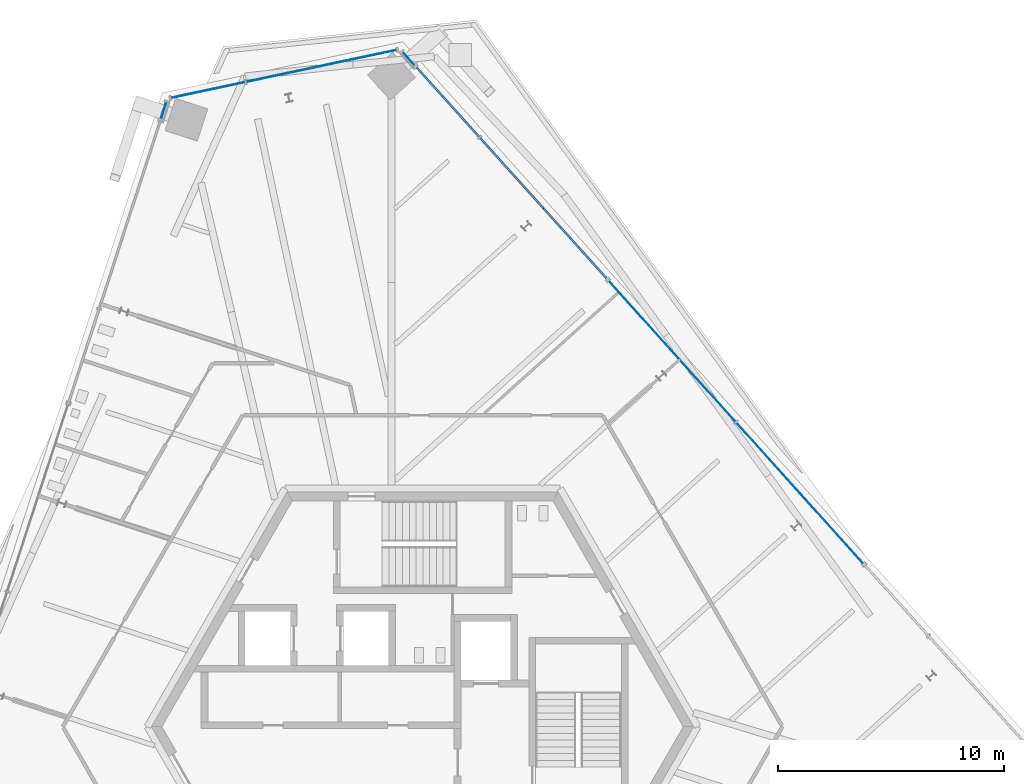
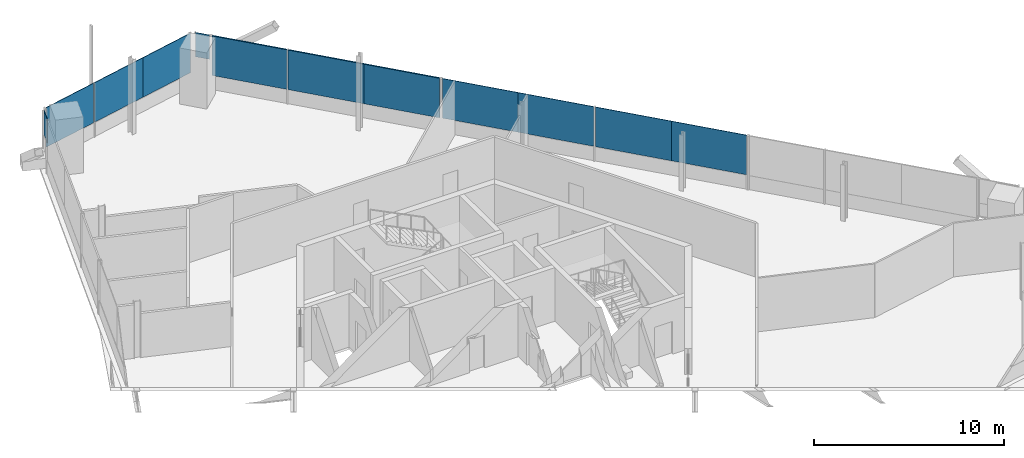
# One storey, part 12 of 20: 12 plates, 5 elements without a shape of their own.
"""IFC4 building model written with IfcOpenShell, lengths in metres."""

from ifc_helpers import new_model, si_unit, direction, frame, origin, origin_2d, place, context, subcontext, project, spatial, rectangle, extrude, source, transform, mapped, material, layer, layer_set, type_object, element, aggregate, save


model = new_model("IFC4")

# Units and contexts
model_context = context("Model", 3, precision=1e-05, world=origin(), true_north=direction((0.0, 1.0)))
body_context = subcontext(model_context, "Body", "Model", "MODEL_VIEW")
ifc_project = project(units=[si_unit("LENGTHUNIT", "METRE"), si_unit("AREAUNIT", "SQUARE_METRE"), si_unit("VOLUMEUNIT", "CUBIC_METRE"), si_unit("PLANEANGLEUNIT", "RADIAN"), si_unit("MASSUNIT", "GRAM", prefix="KILO")], contexts=[model_context])

# Site, building, storey
site_placement = place(None, origin())
site = spatial("IfcSite", under=ifc_project, at=site_placement, CompositionType="ELEMENT")
building_placement = place(site_placement, origin())
building = spatial("IfcBuilding", under=site, at=building_placement, Name="Triune Harvest Tower", CompositionType="ELEMENT")
storey_placement = place(building_placement, frame((0.0, 0.0, 259.5)))
storey = spatial("IfcBuildingStorey", under=building, at=storey_placement, Name="L68", CompositionType="ELEMENT", Elevation=259.5)

# Curtain wall, plates
ifc_material_1 = material(Name="Aluminium bronze anodised", Category="aluminium")
curtain_wall_type_1 = type_object("IfcCurtainWallType", Name="CW-7 Tower stick curtain wall with insulated spandrel infill", PredefinedType="NOTDEFINED", material=ifc_material_1)
curtain_wall_1_placement = place(storey_placement, origin())
curtain_wall_1 = element("IfcCurtainWall", 1, at=curtain_wall_1_placement, inside=storey, type_object=curtain_wall_type_1, Name="CW-7 B7-F1 L68 run 2101")
ifc_material_2 = material(Name="Insulated spandrel panel, bronze aluminium pan", Category="aluminium")
ifc_layer_1 = layer(ifc_material_2, 0.080078125)
ifc_layer_set_1 = layer_set([ifc_layer_1], Name="Insulated spandrel panel, bronze aluminium pan")
plate_type_1 = type_object("IfcPlateType", Name="SP-1 insulated spandrel panel 80", PredefinedType="CURTAIN_PANEL", material=ifc_layer_set_1)
shared_shape_1 = source(origin(), body_context, "Body", "SweptSolid", [
    extrude(rectangle(XDim=4.165771484375, YDim=0.080078125, at=origin_2d()), origin(), (0.0, 0.0, 1.0), 2.5400390625),
])
plate_1_placement = place(storey_placement, frame((6.756591796875, 21.38427734375, 0.89990234375), z_axis=(0.0, 0.0, 1.0), x_axis=(-0.669131907035, 0.743143654341, 0.0)))
plate_1 = element("IfcPlate", 2, at=plate_1_placement, type_object=plate_type_1, Name="CW-7 panel B7-F1 2101.1", PredefinedType="CURTAIN_PANEL", context=body_context, shape_type="MappedRepresentation", body=[
    mapped(shared_shape_1, transform((0.0, 0.0, 0.0), scale=1.0)),
])
shared_shape_2 = source(origin(), body_context, "Body", "SweptSolid", [
    extrude(rectangle(XDim=4.203369140625, YDim=0.080078125, at=origin_2d()), origin(), (0.0, 0.0, 1.0), 2.5400390625),
])
plate_2_placement = place(storey_placement, frame((3.95654296875, 24.493896484375, 0.89990234375), z_axis=(0.0, 0.0, 1.0), x_axis=(-0.669131907035, 0.743143654341, 0.0)))
plate_2 = element("IfcPlate", 3, at=plate_2_placement, type_object=plate_type_1, Name="CW-7 panel B7-F1 2101.2", PredefinedType="CURTAIN_PANEL", context=body_context, shape_type="MappedRepresentation", body=[
    mapped(shared_shape_2, transform((0.0, 0.0, 0.0), scale=1.0)),
])
shared_shape_3 = source(origin(), body_context, "Body", "SweptSolid", [
    extrude(rectangle(XDim=4.128173828125, YDim=0.080078125, at=origin_2d()), origin(), (0.0, 0.0, 1.0), 2.5400390625),
])
plate_3_placement = place(storey_placement, frame((1.118896484375, 27.6455078125, 0.89990234375), z_axis=(0.0, 0.0, 1.0), x_axis=(-0.669131907035, 0.743143654341, 0.0)))
plate_3 = element("IfcPlate", 4, at=plate_3_placement, type_object=plate_type_1, Name="CW-7 panel B7-F1 2101.3", PredefinedType="CURTAIN_PANEL", context=body_context, shape_type="MappedRepresentation", body=[
    mapped(shared_shape_3, transform((0.0, 0.0, 0.0), scale=1.0)),
])
aggregate(curtain_wall_1, [plate_1, plate_2, plate_3])

ifc_material_3 = material(Name="Aluminium bronze anodised", Category="aluminium")
curtain_wall_type_2 = type_object("IfcCurtainWallType", Name="CW-1 Tower stick curtain wall", PredefinedType="NOTDEFINED", material=ifc_material_3)
curtain_wall_2_placement = place(storey_placement, origin())
curtain_wall_2 = element("IfcCurtainWall", 5, at=curtain_wall_2_placement, inside=storey, type_object=curtain_wall_type_2, Name="CW-1 B7-F1 L68 run 1101")
ifc_material_4 = material(Name="Glass", Category="glass")
ifc_layer_2 = layer(ifc_material_4, 0.031982421875)
ifc_layer_set_2 = layer_set([ifc_layer_2], Name="Glass")
plate_type_2 = type_object("IfcPlateType", Name="GL-1 panel 32", PredefinedType="CURTAIN_PANEL", material=ifc_layer_set_2)
shared_shape_4 = source(origin(), body_context, "Body", "SweptSolid", [
    extrude(rectangle(XDim=4.165771484375, YDim=0.031982421875, at=origin_2d()), origin(), (0.0, 0.0, 1.0), 2.5400390625),
])
plate_4_placement = place(storey_placement, frame((18.107177734375, 8.7783203125, 0.89990234375), z_axis=(0.0, 0.0, 1.0), x_axis=(-0.669130821809, 0.743144631485, 0.0)))
plate_4 = element("IfcPlate", 6, at=plate_4_placement, type_object=plate_type_2, Name="CW-1 panel B7-F1 1101.1", PredefinedType="CURTAIN_PANEL", context=body_context, shape_type="MappedRepresentation", body=[
    mapped(shared_shape_4, transform((0.0, 0.0, 0.0), scale=1.0)),
])
plate_5_placement = place(storey_placement, frame((9.644287109375, 18.177001953125, 0.89990234375), z_axis=(0.0, 0.0, 1.0), x_axis=(-0.669130821809, 0.743144631485, 0.0)))
plate_5 = element("IfcPlate", 7, at=plate_5_placement, type_object=plate_type_2, Name="CW-1 panel B7-F1 1101.4", PredefinedType="CURTAIN_PANEL", context=body_context, shape_type="MappedRepresentation", body=[
    mapped(shared_shape_4, transform((0.0, 0.0, 0.0), scale=1.0)),
])
shared_shape_5 = source(origin(), body_context, "Body", "SweptSolid", [
    extrude(rectangle(XDim=4.203369140625, YDim=0.031982421875, at=origin_2d()), origin(), (0.0, 0.0, 1.0), 2.5400390625),
])
plate_6_placement = place(storey_placement, frame((15.30712890625, 11.887939453125, 0.89990234375), z_axis=(0.0, 0.0, 1.0), x_axis=(-0.669130821809, 0.743144631485, 0.0)))
plate_6 = element("IfcPlate", 8, at=plate_6_placement, type_object=plate_type_2, Name="CW-1 panel B7-F1 1101.2", PredefinedType="CURTAIN_PANEL", context=body_context, shape_type="MappedRepresentation", body=[
    mapped(shared_shape_5, transform((0.0, 0.0, 0.0), scale=1.0)),
])
plate_7_placement = place(storey_placement, frame((12.4443359375, 15.0673828125, 0.89990234375), z_axis=(0.0, 0.0, 1.0), x_axis=(-0.669130821809, 0.743144631485, 0.0)))
plate_7 = element("IfcPlate", 9, at=plate_7_placement, type_object=plate_type_2, Name="CW-1 panel B7-F1 1101.3", PredefinedType="CURTAIN_PANEL", context=body_context, shape_type="MappedRepresentation", body=[
    mapped(shared_shape_5, transform((0.0, 0.0, 0.0), scale=1.0)),
])
aggregate(curtain_wall_2, [plate_4, plate_6, plate_7, plate_5])

# Curtain wall, plate
curtain_wall_3_placement = place(storey_placement, origin())
curtain_wall_3 = element("IfcCurtainWall", 10, at=curtain_wall_3_placement, inside=storey, type_object=curtain_wall_type_2, Name="CW-1 B7-F1 L68 run 201")
shared_shape_6 = source(origin(), body_context, "Body", "SweptSolid", [
    extrude(rectangle(XDim=0.771728515625, YDim=0.031982421875, at=origin_2d()), origin(), (0.0, 0.0, 1.0), 1.554931640625),
])
plate_8_placement = place(storey_placement, frame((-0.620849609375, 29.57763671875, 1.88525390625), z_axis=(0.0, 0.0, 1.0), x_axis=(-0.669144523866, 0.743132293862, 0.0)))
plate_8 = element("IfcPlate", 11, at=plate_8_placement, type_object=plate_type_2, Name="CW-1 panel B7-F1 201.1", PredefinedType="CURTAIN_PANEL", context=body_context, shape_type="MappedRepresentation", body=[
    mapped(shared_shape_6, transform((0.0, 0.0, 0.0), scale=1.0)),
])
aggregate(curtain_wall_3, [plate_8])

curtain_wall_4_placement = place(storey_placement, origin())
curtain_wall_4 = element("IfcCurtainWall", 12, at=curtain_wall_4_placement, inside=storey, type_object=curtain_wall_type_2, Name="CW-1 B7-F3 L68 run 1")
plate_9_placement = place(storey_placement, frame((-11.463134765625, 27.27294921875, 1.88525390625), z_axis=(0.0, 0.0, 1.0), x_axis=(-0.309059090221, -0.951042837496, 0.0)))
plate_9 = element("IfcPlate", 13, at=plate_9_placement, type_object=plate_type_2, Name="CW-1 panel B7-F3 1.1", PredefinedType="CURTAIN_PANEL", context=body_context, shape_type="MappedRepresentation", body=[
    mapped(shared_shape_6, transform((0.0, 0.0, 0.0), scale=1.0)),
])
aggregate(curtain_wall_4, [plate_9])

# Curtain wall, plates
curtain_wall_5_placement = place(storey_placement, origin())
curtain_wall_5 = element("IfcCurtainWall", 14, at=curtain_wall_5_placement, inside=storey, type_object=curtain_wall_type_2, Name="CW-1 B7-F2 L68 run 1")
shared_shape_7 = source(origin(), body_context, "Body", "SweptSolid", [
    extrude(rectangle(XDim=3.376220703125, YDim=0.031982421875, at=origin_2d()), origin(), (0.0, 0.0, 1.0), 2.5400390625),
])
plate_10_placement = place(storey_placement, frame((-2.802001953125, 29.601806640625, 0.89990234375), z_axis=(0.0, 0.0, 1.0), x_axis=(-0.978149078297, -0.207904739307, 0.0)))
plate_10 = element("IfcPlate", 15, at=plate_10_placement, type_object=plate_type_2, Name="CW-1 panel B7-F2 1.1", PredefinedType="CURTAIN_PANEL", context=body_context, shape_type="MappedRepresentation", body=[
    mapped(shared_shape_7, transform((0.0, 0.0, 0.0), scale=1.0)),
])
shared_shape_8 = source(origin(), body_context, "Body", "SweptSolid", [
    extrude(rectangle(XDim=3.413818359375, YDim=0.031982421875, at=origin_2d()), origin(), (0.0, 0.0, 1.0), 2.5400390625),
])
plate_11_placement = place(storey_placement, frame((-6.122802734375, 28.89599609375, 0.89990234375), z_axis=(0.0, 0.0, 1.0), x_axis=(-0.978149078297, -0.207904739307, 0.0)))
plate_11 = element("IfcPlate", 16, at=plate_11_placement, type_object=plate_type_2, Name="CW-1 panel B7-F2 1.2", PredefinedType="CURTAIN_PANEL", context=body_context, shape_type="MappedRepresentation", body=[
    mapped(shared_shape_8, transform((0.0, 0.0, 0.0), scale=1.0)),
])
shared_shape_9 = source(origin(), body_context, "Body", "SweptSolid", [
    extrude(rectangle(XDim=3.338623046875, YDim=0.031982421875, at=origin_2d()), origin(), (0.0, 0.0, 1.0), 2.5400390625),
])
plate_12_placement = place(storey_placement, frame((-9.49853515625, 28.178466796875, 0.89990234375), z_axis=(0.0, 0.0, 1.0), x_axis=(-0.978149078297, -0.207904739307, 0.0)))
plate_12 = element("IfcPlate", 17, at=plate_12_placement, type_object=plate_type_2, Name="CW-1 panel B7-F2 1.3", PredefinedType="CURTAIN_PANEL", context=body_context, shape_type="MappedRepresentation", body=[
    mapped(shared_shape_9, transform((0.0, 0.0, 0.0), scale=1.0)),
])
aggregate(curtain_wall_5, [plate_10, plate_11, plate_12])

save(model, "model.ifc")
